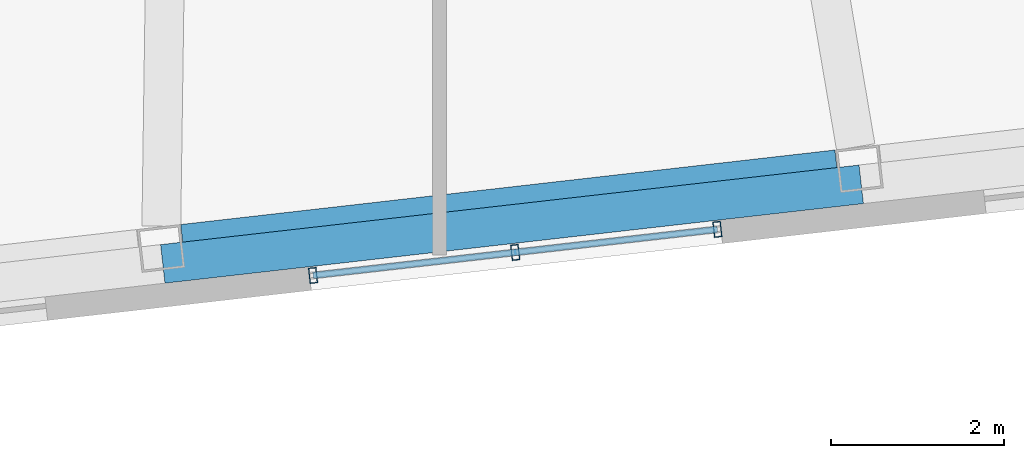
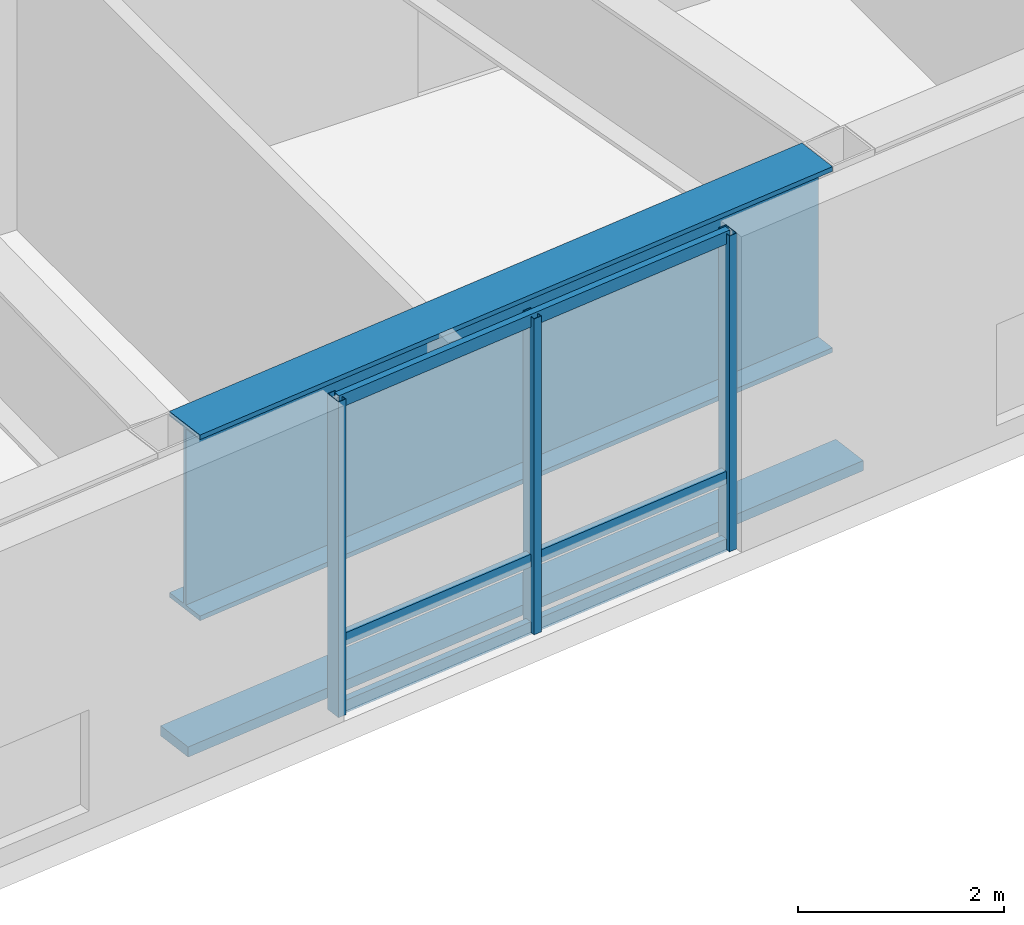
# One storey, part 6 of 20: 7 members, 1 beam, 1 element without a shape of its own.
"""IFC4 building model written with IfcOpenShell, lengths in metres."""

from ifc_helpers import new_model, si_unit, direction, frame, origin, origin_2d, place, context, subcontext, project, spatial, rectangle, hollow_rectangle, i_section, extrude, material, layer, layer_set, material_profile, profile_set, type_object, element, aggregate, save


model = new_model("IFC4")

# Units and contexts
model_context = context("Model", 3, precision=1e-05, world=origin(), true_north=direction((0.0, 1.0)))
body_context = subcontext(model_context, "Body", "Model", "MODEL_VIEW")
ifc_project = project(units=[si_unit("LENGTHUNIT", "METRE"), si_unit("AREAUNIT", "SQUARE_METRE"), si_unit("VOLUMEUNIT", "CUBIC_METRE"), si_unit("PLANEANGLEUNIT", "RADIAN"), si_unit("MASSUNIT", "GRAM", prefix="KILO")], contexts=[model_context])

# Site, building, storey
site_placement = place(None, origin())
site = spatial("IfcSite", under=ifc_project, at=site_placement, CompositionType="ELEMENT")
building_placement = place(site_placement, origin())
building = spatial("IfcBuilding", under=site, at=building_placement, Name="Tavrogorsk Clinical Tower", CompositionType="ELEMENT")
storey_placement = place(building_placement, frame((0.0, 0.0, 214.199951171875)))
storey = spatial("IfcBuildingStorey", under=building, at=storey_placement, Name="L49", CompositionType="ELEMENT", Elevation=214.199951171875)

# Member
ifc_material_1 = material(Name="Anodised aluminium alloy AW-6063", Category="aluminium")
ifc_material_profile_1 = material_profile(ifc_material_1, rectangle(XDim=0.449951171875, YDim=0.1201171875, at=origin_2d()), Name="ALU-SUNSHADE-450x120")
ifc_profile_set_1 = profile_set([ifc_material_profile_1], Name="Anodised aluminium alloy AW-6063")
member_type_1 = type_object("IfcMemberType", Name="ChicagoSunshade_450x120", PredefinedType="USERDEFINED", material=ifc_profile_set_1)
member_1_placement = place(storey_placement, frame((4.240478515625, -19.29150390625, 0.179931640625), z_axis=(0.9935729766, 0.113193375116, 0.0), x_axis=(-0.113193375116, 0.9935729766, 0.0)))
element("IfcMember", 1, at=member_1_placement, inside=storey, type_object=member_type_1, Name="L49 South Aluminium Sunshade S5", ObjectType="SUNSHADE", PredefinedType="USERDEFINED", context=body_context, shape_type="SweptSolid", body=[
    extrude(rectangle(XDim=0.449951171875, YDim=0.1201171875, at=origin_2d()), origin(), (0.0, 0.0, 1.0), 8.148681640625),
])

# Curtain wall, members
ifc_material_2 = material(Name="Anodised aluminium and triple IGU glazing", Category="aluminium")
ifc_layer = layer(ifc_material_2, 0.179931640625)
ifc_layer_set = layer_set([ifc_layer], Name="Anodised aluminium and triple IGU glazing")
curtain_wall_type = type_object("IfcCurtainWallType", Name="CW3_SouthSlot", PredefinedType="NOTDEFINED", material=ifc_layer_set)
curtain_wall_placement = place(storey_placement, origin())
curtain_wall = element("IfcCurtainWall", 2, at=curtain_wall_placement, inside=storey, type_object=curtain_wall_type, Name="L49 Curtain Wall CW-L49-S-SLOT-2", PredefinedType="NOTDEFINED")
ifc_material_3 = material(Name="Anodised aluminium alloy AW-6060", Category="aluminium")
ifc_material_profile_2 = material_profile(ifc_material_3, hollow_rectangle(XDim=0.090087890625, YDim=0.179931640625, WallThickness=0.00634765625, at=origin_2d()), Name="RHS-180x90x6.3")
ifc_profile_set_2 = profile_set([ifc_material_profile_2], Name="Anodised aluminium alloy AW-6060")
member_type_2 = type_object("IfcMemberType", Name="CwMullion_180x90", PredefinedType="MULLION", material=ifc_profile_set_2)
member_2_placement = place(storey_placement, frame((5.982177734375, -19.42529296875, 0.0), z_axis=(0.0, 0.0, 1.0), x_axis=(0.993571855603, 0.11320321441, 0.0)))
member_2 = element("IfcMember", 3, at=member_2_placement, type_object=member_type_2, Name="CW-L49-S-SLOT-2 Mullion 1", PredefinedType="MULLION", context=body_context, shape_type="SweptSolid", body=[
    extrude(hollow_rectangle(XDim=0.090087890625, YDim=0.179931640625, WallThickness=0.00634765625, at=origin_2d()), origin(), (0.0, 0.0, 1.0), 3.739990234375),
])
member_3_placement = place(storey_placement, frame((8.325927734375, -19.158203125, 0.0), z_axis=(0.0, 0.0, 1.0), x_axis=(0.993571855603, 0.11320321441, 0.0)))
member_3 = element("IfcMember", 4, at=member_3_placement, type_object=member_type_2, Name="CW-L49-S-SLOT-2 Mullion 2", PredefinedType="MULLION", context=body_context, shape_type="SweptSolid", body=[
    extrude(hollow_rectangle(XDim=0.090087890625, YDim=0.179931640625, WallThickness=0.00634765625, at=origin_2d()), origin(), (0.0, 0.0, 1.0), 3.739990234375),
])
member_4_placement = place(storey_placement, frame((10.669677734375, -18.89111328125, 0.0), z_axis=(0.0, 0.0, 1.0), x_axis=(0.993571855603, 0.11320321441, 0.0)))
member_4 = element("IfcMember", 5, at=member_4_placement, type_object=member_type_2, Name="CW-L49-S-SLOT-2 Mullion 3", PredefinedType="MULLION", context=body_context, shape_type="SweptSolid", body=[
    extrude(hollow_rectangle(XDim=0.090087890625, YDim=0.179931640625, WallThickness=0.00634765625, at=origin_2d()), origin(), (0.0, 0.0, 1.0), 3.739990234375),
])
ifc_material_4 = material(Name="Anodised aluminium alloy AW-6060", Category="aluminium")
ifc_material_profile_3 = material_profile(ifc_material_4, hollow_rectangle(XDim=0.074951171875, YDim=0.14990234375, WallThickness=0.0048828125, at=origin_2d()), Name="RHS-150x75x5")
ifc_profile_set_3 = profile_set([ifc_material_profile_3], Name="Anodised aluminium alloy AW-6060")
member_type_3 = type_object("IfcMemberType", Name="CwTransom_150x75", PredefinedType="USERDEFINED", material=ifc_profile_set_3)
member_5_placement = place(storey_placement, frame((5.982177734375, -19.42529296875, 0.050048828125), z_axis=(0.993569315854, 0.113225503286, 0.0), x_axis=(-0.113225503286, 0.993569315854, 0.0)))
member_5 = element("IfcMember", 6, at=member_5_placement, type_object=member_type_3, Name="CW-L49-S-SLOT-2 Transom 1", ObjectType="TRANSOM", PredefinedType="USERDEFINED", context=body_context, shape_type="SweptSolid", body=[
    extrude(hollow_rectangle(XDim=0.074951171875, YDim=0.14990234375, WallThickness=0.0048828125, at=origin_2d()), origin(), (0.0, 0.0, 1.0), 4.7177734375),
])
member_6_placement = place(storey_placement, frame((5.982177734375, -19.42529296875, 0.85009765625), z_axis=(0.993569315854, 0.113225503286, 0.0), x_axis=(-0.113225503286, 0.993569315854, 0.0)))
member_6 = element("IfcMember", 7, at=member_6_placement, type_object=member_type_3, Name="CW-L49-S-SLOT-2 Transom 2", ObjectType="TRANSOM", PredefinedType="USERDEFINED", context=body_context, shape_type="SweptSolid", body=[
    extrude(hollow_rectangle(XDim=0.074951171875, YDim=0.14990234375, WallThickness=0.0048828125, at=origin_2d()), origin(), (0.0, 0.0, 1.0), 4.7177734375),
])
member_7_placement = place(storey_placement, frame((5.982177734375, -19.42529296875, 3.68994140625), z_axis=(0.993569315854, 0.113225503286, 0.0), x_axis=(-0.113225503286, 0.993569315854, 0.0)))
member_7 = element("IfcMember", 8, at=member_7_placement, type_object=member_type_3, Name="CW-L49-S-SLOT-2 Transom 3", ObjectType="TRANSOM", PredefinedType="USERDEFINED", context=body_context, shape_type="SweptSolid", body=[
    extrude(hollow_rectangle(XDim=0.074951171875, YDim=0.14990234375, WallThickness=0.0048828125, at=origin_2d()), origin(), (0.0, 0.0, 1.0), 4.7177734375),
])
aggregate(curtain_wall, [member_2, member_3, member_4, member_5, member_6, member_7])

# Beam
ifc_material_5 = material(Name="Structural steel S440", Category="steel")
ifc_material_profile_4 = material_profile(ifc_material_5, i_section(OverallWidth=0.5, OverallDepth=2.199951171875, WebThickness=0.035888671875, FlangeThickness=0.054931640625, at=origin_2d()), Name="DK-2200x500x36x55")
ifc_profile_set_4 = profile_set([ifc_material_profile_4], Name="Structural steel S440")
beam_type = type_object("IfcBeamType", Name="TransferGirder_DK2200", PredefinedType="USERDEFINED", material=ifc_profile_set_4)
beam_placement = place(storey_placement, frame((4.476318359375, -19.08349609375, 2.64013671875), z_axis=(0.993572509708, 0.113197473259, 0.0), x_axis=(-0.113197473259, 0.993572509708, 0.0)))
element("IfcBeam", 9, at=beam_placement, inside=storey, type_object=beam_type, Name="L49 Perimeter Spandrel S5-S6", ObjectType="GIRDER", PredefinedType="USERDEFINED", context=body_context, shape_type="SweptSolid", body=[
    extrude(i_section(OverallWidth=0.5, OverallDepth=2.199951171875, WebThickness=0.035888671875, FlangeThickness=0.054931640625, at=origin_2d()), origin(), (0.0, 0.0, 1.0), 7.6328125),
])

save(model, "model.ifc")
